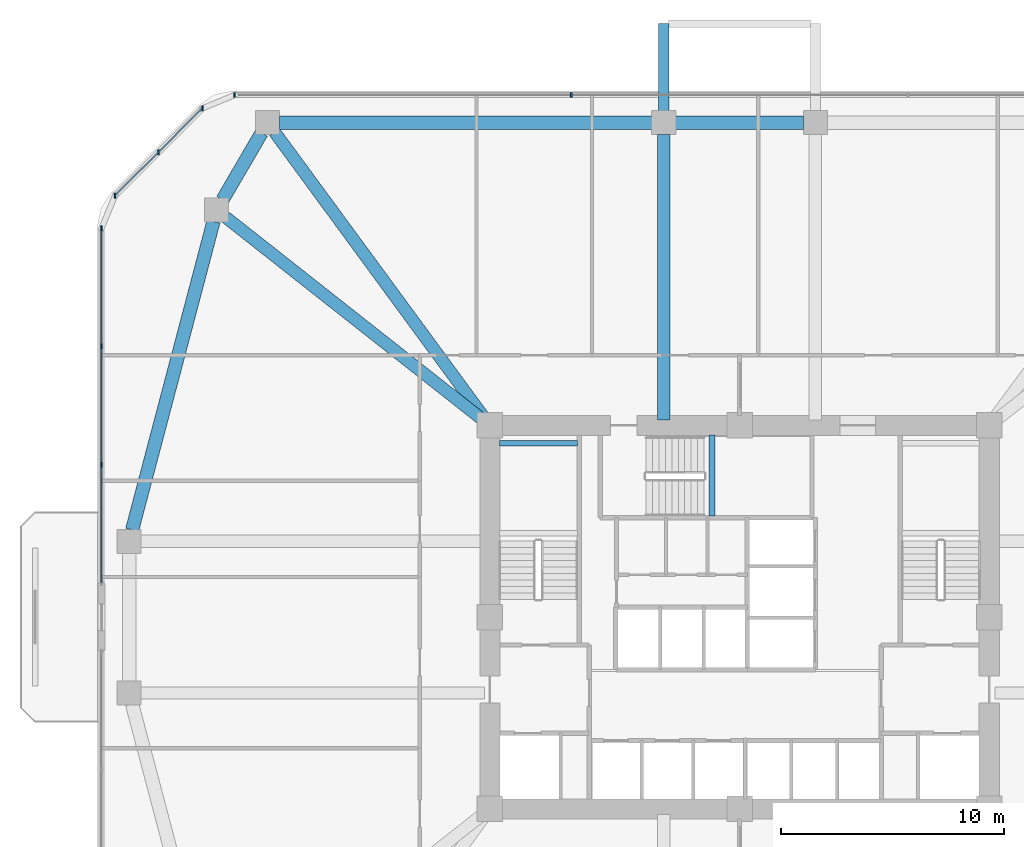
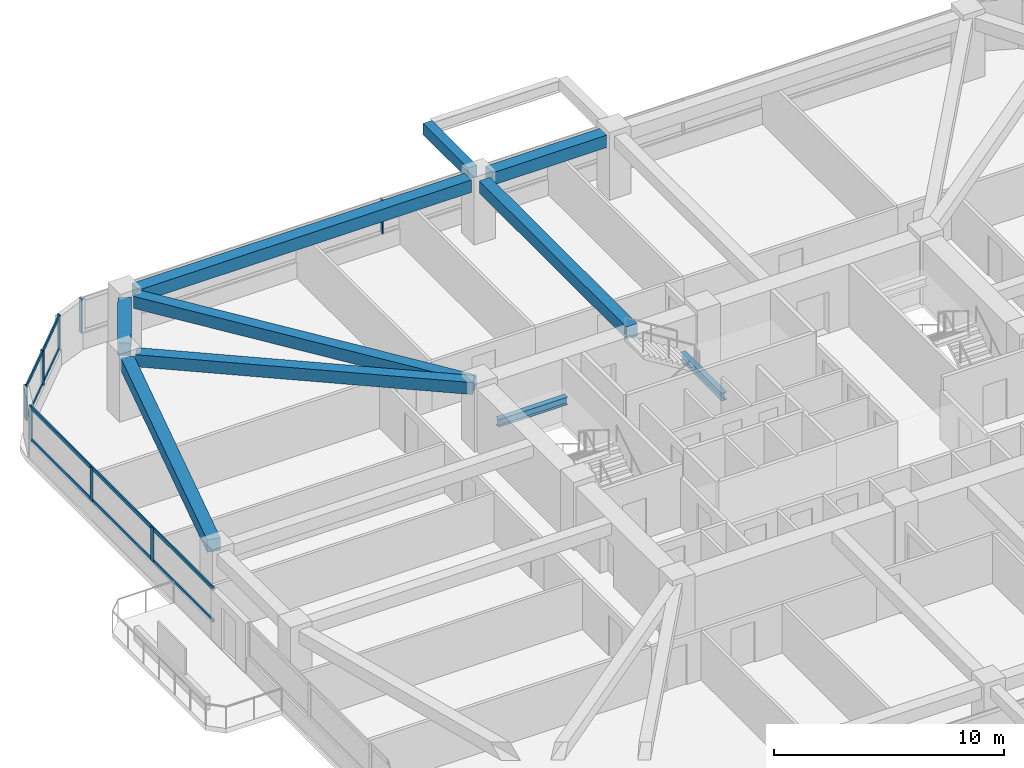
# One storey, part 5 of 13: 12 members, 10 beams, 3 elements without a shape of their own.
"""IFC4 building model written with IfcOpenShell, lengths in metres."""

from ifc_helpers import new_model, si_unit, derived_unit, direction, frame, origin, origin_2d, place, context, subcontext, project, spatial, rectangle, i_section, extrude, material, material_profile, profile_set, type_object, element, aggregate, save


model = new_model("IFC4")

# Units and contexts
model_context = context("Model", 3, precision=1e-05, world=origin(), true_north=direction((0.0, 1.0)))
body_context = subcontext(model_context, "Body", "Model", "MODEL_VIEW")
ifc_project = project(units=[si_unit("LENGTHUNIT", "METRE"), si_unit("AREAUNIT", "SQUARE_METRE"), si_unit("VOLUMEUNIT", "CUBIC_METRE"), si_unit("PLANEANGLEUNIT", "RADIAN"), si_unit("MASSUNIT", "GRAM", prefix="KILO"), derived_unit("THERMALTRANSMITTANCEUNIT", [(si_unit("POWERUNIT", "WATT"), 1), (si_unit("LENGTHUNIT", "METRE"), -2), (si_unit("THERMODYNAMICTEMPERATUREUNIT", "KELVIN"), -1)])], contexts=[model_context])

# Site, building, storey
site_placement = place(None, origin())
site = spatial("IfcSite", under=ifc_project, at=site_placement, CompositionType="ELEMENT")
building_placement = place(site_placement, origin())
building = spatial("IfcBuilding", under=site, at=building_placement, Name="Koralith Skygarden Medical Center", CompositionType="ELEMENT")
storey_placement = place(building_placement, frame((0.0, 0.0, 49.139892578125)))
storey = spatial("IfcBuildingStorey", under=building, at=storey_placement, Name="L12", CompositionType="ELEMENT", Elevation=49.139892578125)

# Curtain wall, members
ifc_material_1 = material(Name="Clear Laminated Glass", Category="glass")
curtain_wall_type = type_object("IfcCurtainWallType", Name="CW-2 Zone 1 Hurricane Unitised Curtain Wall", PredefinedType="NOTDEFINED", material=ifc_material_1)
curtain_wall_1_placement = place(storey_placement, origin())
curtain_wall_1 = element("IfcCurtainWall", 1, at=curtain_wall_1_placement, inside=storey, type_object=curtain_wall_type, Name="Curtain Wall CW-L12-N", PredefinedType="NOTDEFINED")
ifc_material_2 = material(Name="Aluminium 6063-T6", Category="aluminium")
ifc_material_profile_1 = material_profile(ifc_material_2, rectangle(XDim=0.071044921875, YDim=0.219970703125, at=origin_2d()), Name="MUL71X220")
ifc_profile_set_1 = profile_set([ifc_material_profile_1], Name="Aluminium 6063-T6")
member_type_1 = type_object("IfcMemberType", Name="CW-2 Extruded Mullion 71x220", PredefinedType="MULLION", material=ifc_profile_set_1)
member_1_placement = place(storey_placement, frame((29.451904296875, 49.320068359375, 0.85009765625), z_axis=(0.0, 0.0, 1.0), x_axis=(1.0, 0.0, 0.0)))
member_1 = element("IfcMember", 2, at=member_1_placement, type_object=member_type_1, Name="CW-L12-N Mullion 3", PredefinedType="MULLION", context=body_context, shape_type="SweptSolid", body=[
    extrude(rectangle(XDim=0.071044921875, YDim=0.219970703125, at=origin_2d()), origin(), (0.0, 0.0, 1.0), 1.800048828125),
])
member_2_placement = place(storey_placement, frame((14.35498046875, 49.320068359375, 0.85009765625), z_axis=(0.0, 0.0, 1.0), x_axis=(1.0, 0.0, 0.0)))
member_2 = element("IfcMember", 3, at=member_2_placement, type_object=member_type_1, Name="CW-L12-N Mullion 4", PredefinedType="MULLION", context=body_context, shape_type="SweptSolid", body=[
    extrude(rectangle(XDim=0.071044921875, YDim=0.219970703125, at=origin_2d()), origin(), (0.0, 0.0, 1.0), 1.800048828125),
])
aggregate(curtain_wall_1, [member_1, member_2])

curtain_wall_2_placement = place(storey_placement, origin())
curtain_wall_2 = element("IfcCurtainWall", 4, at=curtain_wall_2_placement, inside=storey, type_object=curtain_wall_type, Name="Curtain Wall CW-L12-NW", PredefinedType="NOTDEFINED")
member_3_placement = place(storey_placement, frame((12.904052734375, 48.718994140625, 0.85009765625), z_axis=(0.0, 0.0, 1.0), x_axis=(1.0, 0.0, 0.0)))
member_3 = element("IfcMember", 5, at=member_3_placement, type_object=member_type_1, Name="CW-L12-NW Mullion 1", PredefinedType="MULLION", context=body_context, shape_type="SweptSolid", body=[
    extrude(rectangle(XDim=0.071044921875, YDim=0.219970703125, at=origin_2d()), origin(), (0.0, 0.0, 1.0), 1.800048828125),
])
member_4_placement = place(storey_placement, frame((10.94189453125, 46.758056640625, 0.85009765625), z_axis=(0.0, 0.0, 1.0), x_axis=(1.0, 0.0, 0.0)))
member_4 = element("IfcMember", 6, at=member_4_placement, type_object=member_type_1, Name="CW-L12-NW Mullion 2", PredefinedType="MULLION", context=body_context, shape_type="SweptSolid", body=[
    extrude(rectangle(XDim=0.071044921875, YDim=0.219970703125, at=origin_2d()), origin(), (0.0, 0.0, 1.0), 1.800048828125),
])
member_5_placement = place(storey_placement, frame((8.98095703125, 44.7958984375, 0.85009765625), z_axis=(0.0, 0.0, 1.0), x_axis=(1.0, 0.0, 0.0)))
member_5 = element("IfcMember", 7, at=member_5_placement, type_object=member_type_1, Name="CW-L12-NW Mullion 3", PredefinedType="MULLION", context=body_context, shape_type="SweptSolid", body=[
    extrude(rectangle(XDim=0.071044921875, YDim=0.219970703125, at=origin_2d()), origin(), (0.0, 0.0, 1.0), 1.800048828125),
])

curtain_wall_3_placement = place(storey_placement, origin())
curtain_wall_3 = element("IfcCurtainWall", 8, at=curtain_wall_3_placement, inside=storey, type_object=curtain_wall_type, Name="Curtain Wall CW-L12-W-L", PredefinedType="NOTDEFINED")
member_6_placement = place(storey_placement, frame((8.3798828125, 43.344970703125, 0.85009765625), z_axis=(0.0, 0.0, 1.0), x_axis=(1.0, 0.0, 0.0)))
member_6 = element("IfcMember", 9, at=member_6_placement, type_object=member_type_1, Name="CW-L12-W-L Mullion 1", PredefinedType="MULLION", context=body_context, shape_type="SweptSolid", body=[
    extrude(rectangle(XDim=0.071044921875, YDim=0.219970703125, at=origin_2d()), origin(), (0.0, 0.0, 1.0), 1.800048828125),
])
member_7_placement = place(storey_placement, frame((8.3798828125, 38.04296875, 0.85009765625), z_axis=(0.0, 0.0, 1.0), x_axis=(1.0, 0.0, 0.0)))
member_7 = element("IfcMember", 10, at=member_7_placement, type_object=member_type_1, Name="CW-L12-W-L Mullion 2", PredefinedType="MULLION", context=body_context, shape_type="SweptSolid", body=[
    extrude(rectangle(XDim=0.071044921875, YDim=0.219970703125, at=origin_2d()), origin(), (0.0, 0.0, 1.0), 1.800048828125),
])
member_8_placement = place(storey_placement, frame((8.3798828125, 32.741943359375, 0.85009765625), z_axis=(0.0, 0.0, 1.0), x_axis=(1.0, 0.0, 0.0)))
member_8 = element("IfcMember", 11, at=member_8_placement, type_object=member_type_1, Name="CW-L12-W-L Mullion 3", PredefinedType="MULLION", context=body_context, shape_type="SweptSolid", body=[
    extrude(rectangle(XDim=0.071044921875, YDim=0.219970703125, at=origin_2d()), origin(), (0.0, 0.0, 1.0), 1.800048828125),
])

# Member
ifc_material_profile_2 = material_profile(ifc_material_2, rectangle(XDim=0.06591796875, YDim=0.197998046875, at=origin_2d()), Name="TRN66X198")
ifc_profile_set_2 = profile_set([ifc_material_profile_2], Name="Aluminium 6063-T6")
member_type_2 = type_object("IfcMemberType", Name="CW-2 Thermal Transom 66x198", PredefinedType="USERDEFINED", material=ifc_profile_set_2)
member_9_placement = place(storey_placement, frame((12.904052734375, 48.718994140625, 0.900146484375), z_axis=(-0.707106781187, -0.707106781187, 0.0), x_axis=(0.707106781187, -0.707106781187, 0.0)))
member_9 = element("IfcMember", 12, at=member_9_placement, type_object=member_type_2, Name="CW-L12-NW Transom 1", ObjectType="TRANSOM", PredefinedType="USERDEFINED", context=body_context, shape_type="SweptSolid", body=[
    extrude(rectangle(XDim=0.06591796875, YDim=0.197998046875, at=origin_2d()), origin(), (0.0, 0.0, 1.0), 5.548095703125),
])

member_10_placement = place(storey_placement, frame((12.904052734375, 48.718994140625, 2.60009765625), z_axis=(-0.707106781187, -0.707106781187, 0.0), x_axis=(0.707106781187, -0.707106781187, 0.0)))
member_10 = element("IfcMember", 13, at=member_10_placement, type_object=member_type_2, Name="CW-L12-NW Transom 2", ObjectType="TRANSOM", PredefinedType="USERDEFINED", context=body_context, shape_type="SweptSolid", body=[
    extrude(rectangle(XDim=0.06591796875, YDim=0.197998046875, at=origin_2d()), origin(), (0.0, 0.0, 1.0), 5.548095703125),
])

aggregate(curtain_wall_2, [member_3, member_4, member_5, member_9, member_10])

member_11_placement = place(storey_placement, frame((8.3798828125, 43.344970703125, 0.900146484375), z_axis=(0.0, -1.0, 0.0), x_axis=(1.0, 0.0, 0.0)))
member_11 = element("IfcMember", 14, at=member_11_placement, type_object=member_type_2, Name="CW-L12-W-L Transom 1", ObjectType="TRANSOM", PredefinedType="USERDEFINED", context=body_context, shape_type="SweptSolid", body=[
    extrude(rectangle(XDim=0.06591796875, YDim=0.197998046875, at=origin_2d()), origin(), (0.0, 0.0, 1.0), 15.905029296875),
])

member_12_placement = place(storey_placement, frame((8.3798828125, 43.344970703125, 2.60009765625), z_axis=(0.0, -1.0, 0.0), x_axis=(1.0, 0.0, 0.0)))
member_12 = element("IfcMember", 15, at=member_12_placement, type_object=member_type_2, Name="CW-L12-W-L Transom 2", ObjectType="TRANSOM", PredefinedType="USERDEFINED", context=body_context, shape_type="SweptSolid", body=[
    extrude(rectangle(XDim=0.06591796875, YDim=0.197998046875, at=origin_2d()), origin(), (0.0, 0.0, 1.0), 15.905029296875),
])

aggregate(curtain_wall_3, [member_6, member_7, member_8, member_11, member_12])

# Beams
ifc_material_3 = material(Name="Steel ASTM A992 Grade 50", Category="steel")
ifc_material_profile_3 = material_profile(ifc_material_3, i_section(OverallWidth=0.260009765625, OverallDepth=0.4150390625, WebThickness=0.010009765625, FlangeThickness=0.016845703125, at=origin_2d()), Name="W16X67")
ifc_profile_set_3 = profile_set([ifc_material_profile_3], Name="Steel ASTM A992 Grade 50")
beam_type_1 = type_object("IfcBeamType", Name="Clinical Floor Joist W16X67", PredefinedType="JOIST", material=ifc_profile_set_3)
beam_1_placement = place(storey_placement, frame((26.22998046875, 33.699951171875, 1.39208984375), z_axis=(1.0, 0.0, 0.0), x_axis=(0.0, 1.0, 0.0)))
element("IfcBeam", 16, at=beam_1_placement, inside=storey, type_object=beam_type_1, Name="L12 Stair ST1 Half-Landing Support Beam 1B", PredefinedType="JOIST", context=body_context, shape_type="SweptSolid", body=[
    extrude(i_section(OverallWidth=0.260009765625, OverallDepth=0.4150390625, WebThickness=0.010009765625, FlangeThickness=0.016845703125, at=origin_2d()), origin(), (0.0, 0.0, 1.0), 3.489990234375),
])
beam_2_placement = place(storey_placement, frame((35.760009765625, 30.43994140625, 1.39208984375), z_axis=(0.0, 1.0, 0.0), x_axis=(-1.0, 0.0, 0.0)))
element("IfcBeam", 17, at=beam_2_placement, inside=storey, type_object=beam_type_1, Name="L12 Stair ST3 Half-Landing Support Beam 1A", PredefinedType="JOIST", context=body_context, shape_type="SweptSolid", body=[
    extrude(i_section(OverallWidth=0.260009765625, OverallDepth=0.4150390625, WebThickness=0.010009765625, FlangeThickness=0.016845703125, at=origin_2d()), origin(), (0.0, 0.0, 1.0), 3.630126953125),
])
ifc_material_4 = material(Name="Concrete C45/55", Category="concrete")
ifc_material_profile_4 = material_profile(ifc_material_4, rectangle(XDim=0.449951171875, YDim=0.60009765625, at=origin_2d()), Name="RCB450X600")
ifc_profile_set_4 = profile_set([ifc_material_profile_4], Name="Concrete C45/55")
beam_type_2 = type_object("IfcBeamType", Name="Planted Balcony Cantilever Beam RCB450X600", PredefinedType="BEAM", material=ifc_profile_set_4)
beam_3_placement = place(storey_placement, frame((33.60009765625, 48.60009765625, 3.0400390625), z_axis=(0.0, 1.0, 0.0), x_axis=(-1.0, 0.0, 0.0)))
element("IfcBeam", 18, at=beam_3_placement, inside=storey, type_object=beam_type_2, Name="L13 N Balcony Cantilever Beam A", PredefinedType="BEAM", context=body_context, shape_type="SweptSolid", body=[
    extrude(rectangle(XDim=0.449951171875, YDim=0.60009765625, at=origin_2d()), origin(), (0.0, 0.0, 1.0), 3.919921875),
])
ifc_material_profile_5 = material_profile(ifc_material_4, rectangle(XDim=0.550048828125, YDim=0.639892578125, at=origin_2d()), Name="RCB550X640")
ifc_profile_set_5 = profile_set([ifc_material_profile_5], Name="Concrete C45/55")
beam_type_3 = type_object("IfcBeamType", Name="Radial Collector Beam RCB550X640", PredefinedType="BEAM", material=ifc_profile_set_5)
beam_4_placement = place(storey_placement, frame((33.60009765625, 34.75, 3.0), z_axis=(0.0, 1.0, 0.0), x_axis=(-1.0, 0.0, 0.0)))
element("IfcBeam", 19, at=beam_4_placement, inside=storey, type_object=beam_type_3, Name="L12 Radial Collector Beam RB-13", PredefinedType="BEAM", context=body_context, shape_type="SweptSolid", body=[
    extrude(rectangle(XDim=0.550048828125, YDim=0.639892578125, at=origin_2d()), origin(), (0.0, 0.0, 1.0), 12.800048828125),
])
beam_5_placement = place(storey_placement, frame((25.652099609375, 34.701904296875, 3.0), z_axis=(-0.591710803277, 0.806150311843, 0.0), x_axis=(-0.806150311843, -0.591710803277, 0.0)))
element("IfcBeam", 20, at=beam_5_placement, inside=storey, type_object=beam_type_3, Name="L12 Radial Collector Beam RB-14", PredefinedType="BEAM", context=body_context, shape_type="SweptSolid", body=[
    extrude(rectangle(XDim=0.550048828125, YDim=0.639892578125, at=origin_2d()), origin(), (0.0, 0.0, 1.0), 16.0654296875),
])
beam_6_placement = place(storey_placement, frame((25.60400390625, 34.655029296875, 3.0), z_axis=(-0.785497250365, 0.618865146594, 0.0), x_axis=(-0.618865146594, -0.785497250365, 0.0)))
element("IfcBeam", 21, at=beam_6_placement, inside=storey, type_object=beam_type_3, Name="L12 Radial Collector Beam RB-15", PredefinedType="BEAM", context=body_context, shape_type="SweptSolid", body=[
    extrude(rectangle(XDim=0.550048828125, YDim=0.639892578125, at=origin_2d()), origin(), (0.0, 0.0, 1.0), 14.828857421875),
])
ifc_material_profile_6 = material_profile(ifc_material_4, rectangle(XDim=0.60009765625, YDim=0.659912109375, at=origin_2d()), Name="RCB600X660")
ifc_profile_set_6 = profile_set([ifc_material_profile_6], Name="Concrete C45/55")
beam_type_4 = type_object("IfcBeamType", Name="Zone 1 Spandrel Beam RCB600X660", PredefinedType="SPANDREL", material=ifc_profile_set_6)
beam_7_placement = place(storey_placement, frame((39.8701171875, 48.080078125, 2.989990234375), z_axis=(-1.0, 0.0, 0.0), x_axis=(0.0, -1.0, 0.0)))
element("IfcBeam", 22, at=beam_7_placement, inside=storey, type_object=beam_type_4, Name="L12 Perimeter Spandrel Beam SP-12", PredefinedType="SPANDREL", context=body_context, shape_type="SweptSolid", body=[
    extrude(rectangle(XDim=0.60009765625, YDim=0.659912109375, at=origin_2d()), origin(), (0.0, 0.0, 1.0), 5.740234375),
])
beam_8_placement = place(storey_placement, frame((33.070068359375, 48.080078125, 2.989990234375), z_axis=(-1.0, 0.0, 0.0), x_axis=(0.0, -1.0, 0.0)))
element("IfcBeam", 23, at=beam_8_placement, inside=storey, type_object=beam_type_4, Name="L12 Perimeter Spandrel Beam SP-13", PredefinedType="SPANDREL", context=body_context, shape_type="SweptSolid", body=[
    extrude(rectangle(XDim=0.60009765625, YDim=0.659912109375, at=origin_2d()), origin(), (0.0, 0.0, 1.0), 16.7080078125),
])
beam_9_placement = place(storey_placement, frame((15.56396484375, 47.6220703125, 2.989990234375), z_axis=(-0.504608092658, -0.863348523381, 0.0), x_axis=(0.863348523381, -0.504608092658, 0.0)))
element("IfcBeam", 24, at=beam_9_placement, inside=storey, type_object=beam_type_4, Name="L12 Perimeter Spandrel Beam SP-14", PredefinedType="SPANDREL", context=body_context, shape_type="SweptSolid", body=[
    extrude(rectangle(XDim=0.60009765625, YDim=0.659912109375, at=origin_2d()), origin(), (0.0, 0.0, 1.0), 3.479736328125),
])
beam_10_placement = place(storey_placement, frame((13.405029296875, 43.64794921875, 2.989990234375), z_axis=(-0.255088684842, -0.966917660851, 0.0), x_axis=(0.966917660851, -0.255088684842, 0.0)))
element("IfcBeam", 25, at=beam_10_placement, inside=storey, type_object=beam_type_4, Name="L12 Perimeter Spandrel Beam SP-15", PredefinedType="SPANDREL", context=body_context, shape_type="SweptSolid", body=[
    extrude(rectangle(XDim=0.60009765625, YDim=0.659912109375, at=origin_2d()), origin(), (0.0, 0.0, 1.0), 14.309326171875),
])

save(model, "model.ifc")
